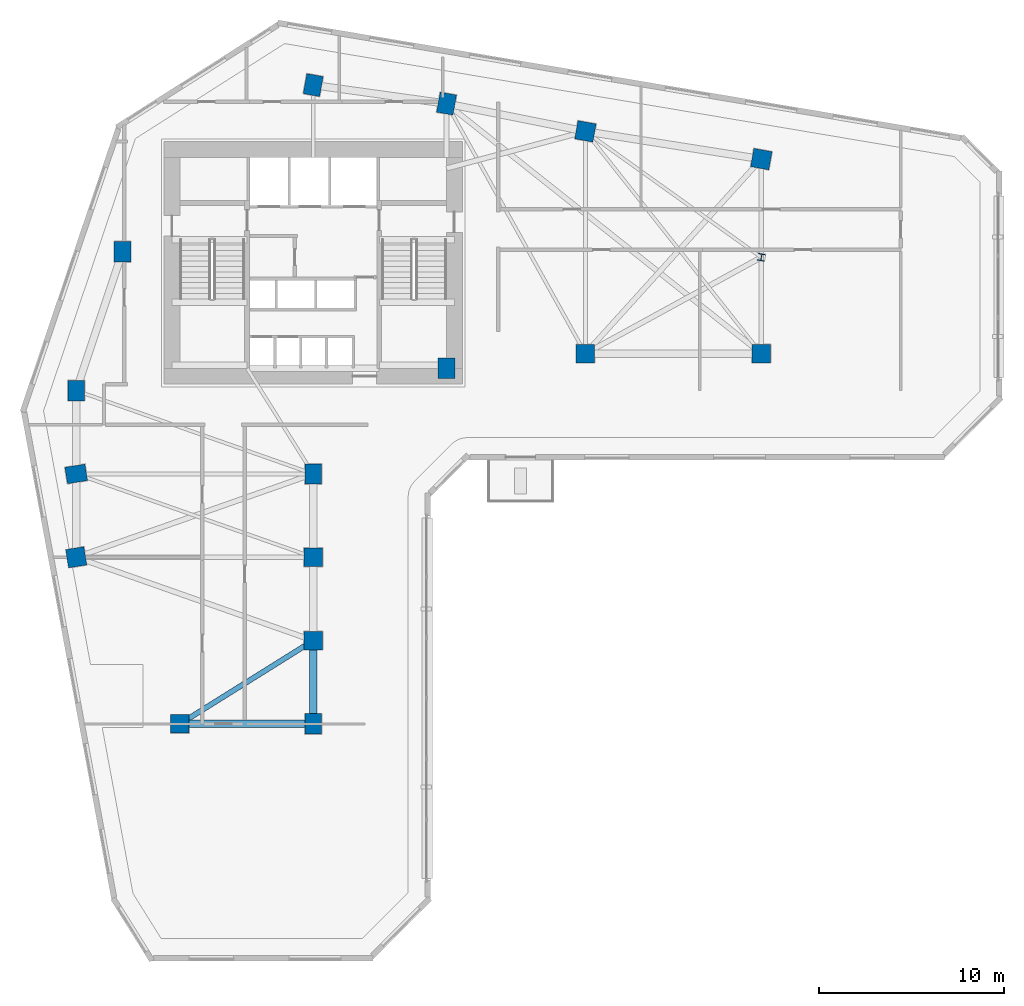
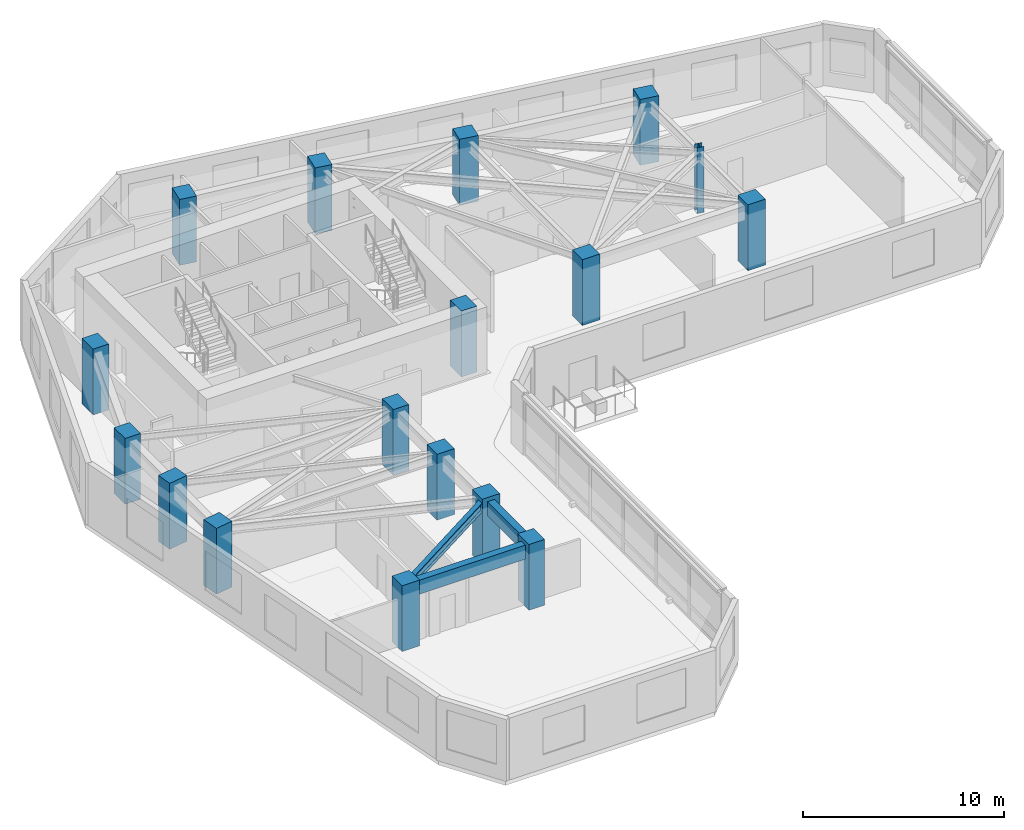
# One storey, part 1 of 12: 17 columns, 3 beams.
"""IFC4 building model written with IfcOpenShell, lengths in metres."""

from ifc_helpers import new_model, si_unit, direction, frame, origin, origin_2d, place, context, subcontext, project, spatial, rectangle, i_section, extrude, source, transform, mapped, material, material_profile, profile_set, type_object, element, save


model = new_model("IFC4")

# Units and contexts
model_context = context("Model", 3, precision=1e-05, world=origin(), true_north=direction((0.0, 1.0)))
body_context = subcontext(model_context, "Body", "Model", "MODEL_VIEW")
ifc_project = project(units=[si_unit("LENGTHUNIT", "METRE"), si_unit("AREAUNIT", "SQUARE_METRE"), si_unit("VOLUMEUNIT", "CUBIC_METRE"), si_unit("PLANEANGLEUNIT", "RADIAN"), si_unit("MASSUNIT", "GRAM", prefix="KILO")], contexts=[model_context])

# Site, building, storey
site_placement = place(None, origin())
site = spatial("IfcSite", under=ifc_project, at=site_placement, CompositionType="ELEMENT")
building_placement = place(site_placement, origin())
building = spatial("IfcBuilding", under=site, at=building_placement, Name="Calvemar Wedge Station Tower", CompositionType="ELEMENT")
storey_placement = place(building_placement, frame((0.0, 0.0, 39.0)))
storey = spatial("IfcBuildingStorey", under=building, at=storey_placement, Name="L09", CompositionType="ELEMENT", Elevation=39.0)

# Columns
ifc_material_1 = material(Name="Concrete C70", Category="concrete")
ifc_material_profile_1 = material_profile(ifc_material_1, rectangle(XDim=0.89990234375, YDim=1.10009765625, at=origin_2d()), Name="RC1100x900")
ifc_profile_set_1 = profile_set([ifc_material_profile_1], Name="Concrete C70")
column_type_1 = type_object("IfcColumnType", Name="COL-C3-1100x900", PredefinedType="COLUMN", material=ifc_profile_set_1)
shared_shape_1 = source(origin(), body_context, "Body", "SweptSolid", [
    extrude(rectangle(XDim=0.89990234375, YDim=1.10009765625, at=origin_2d()), origin(), (0.0, 0.0, 1.0), 4.0),
])
for number, where, z_axis, x_axis, name in (
    (1, (11.0, 33.0, 0.0), (0.0, 0.0, 1.0), (1.0, 0.0, 0.0), "Storey L09 Column T-NW1"),
    (2, (13.5, 40.5, 0.0), (0.0, 0.0, 1.0), (1.0, 0.0, 0.0), "Storey L09 Column T-NW2"),
    (3, (23.800048828125, 49.5, 0.0), (0.0, 0.0, 1.0), (0.984195607969, -0.17708474032, 0.0), "Storey L09 Column T-N1"),
    (4, (31.0, 48.5, 0.0), (0.0, 0.0, 1.0), (0.984195607969, -0.17708474032, 0.0), "Storey L09 Column T-N2"),
    (5, (31.0, 34.199951171875, 0.0), (0.0, 0.0, 1.0), (1.0, 0.0, 0.0), "Storey L09 Column T-NL1"),
    (6, (11.0, 28.5, 0.0), (0.0, 0.0, 1.0), (0.158158067254, -0.987413806751, 0.0), "Storey L09 Column T-SW1"),
    (7, (23.800048828125, 28.5, 0.0), (0.0, 0.0, 1.0), (1.0, 0.0, 0.0), "Storey L09 Column T-SE1"),
    (8, (23.800048828125, 15.0, 0.0), (0.0, 0.0, 1.0), (1.0, 0.0, 0.0), "Storey L09 Column T-SE4"),
):
    element("IfcColumn", number, at=place(storey_placement, frame(where, z_axis=z_axis, x_axis=x_axis)), inside=storey, type_object=column_type_1, Name=name, PredefinedType="COLUMN", context=body_context, shape_type="MappedRepresentation", body=[
        mapped(shared_shape_1, transform((0.0, 0.0, 0.0), scale=1.0)),
    ])
ifc_material_2 = material(Name="Concrete C60", Category="concrete")
ifc_material_profile_2 = material_profile(ifc_material_2, rectangle(XDim=1.0, YDim=1.0, at=origin_2d()), Name="RC1000x1000")
ifc_profile_set_2 = profile_set([ifc_material_profile_2], Name="Concrete C60")
column_type_2 = type_object("IfcColumnType", Name="COL-C4-1000", PredefinedType="COLUMN", material=ifc_profile_set_2)
shared_shape_2 = source(origin(), body_context, "Body", "SweptSolid", [
    extrude(rectangle(XDim=1.0, YDim=1.0, at=origin_2d()), origin(), (0.0, 0.0, 1.0), 4.0),
])
for number, where, z_axis, x_axis, name in (
    (9, (38.5, 47.0, 0.0), (0.0, 0.0, 1.0), (0.984195607969, -0.17708474032, 0.0), "Storey L09 Column T-NU3"),
    (10, (48.0, 45.5, 0.0), (0.0, 0.0, 1.0), (0.984195607969, -0.17708474032, 0.0), "Storey L09 Column T-NU4"),
    (11, (38.5, 35.0, 0.0), (0.0, 0.0, 1.0), (1.0, 0.0, 0.0), "Storey L09 Column T-NL2"),
    (12, (48.0, 35.0, 0.0), (0.0, 0.0, 1.0), (1.0, 0.0, 0.0), "Storey L09 Column T-NL3"),
    (13, (11.0, 24.0, 0.0), (0.0, 0.0, 1.0), (0.158158067254, -0.987413806751, 0.0), "Storey L09 Column T-SW2"),
    (14, (23.800048828125, 24.0, 0.0), (0.0, 0.0, 1.0), (1.0, 0.0, 0.0), "Storey L09 Column T-SE2"),
    (15, (23.800048828125, 19.5, 0.0), (0.0, 0.0, 1.0), (1.0, 0.0, 0.0), "Storey L09 Column T-SE3"),
    (16, (16.60009765625, 15.0, 0.0), (0.0, 0.0, 1.0), (1.0, 0.0, 0.0), "Storey L09 Column T-SM1"),
):
    element("IfcColumn", number, at=place(storey_placement, frame(where, z_axis=z_axis, x_axis=x_axis)), inside=storey, type_object=column_type_2, Name=name, PredefinedType="COLUMN", context=body_context, shape_type="MappedRepresentation", body=[
        mapped(shared_shape_2, transform((0.0, 0.0, 0.0), scale=1.0)),
    ])
ifc_material_3 = material(Name="Structural steel ASTM A572 Grade 50", Category="steel")
ifc_material_profile_3 = material_profile(ifc_material_3, i_section(OverallWidth=0.3740234375, OverallDepth=0.3720703125, WebThickness=0.016357421875, FlangeThickness=0.026123046875, FilletRadius=0.014892578125, at=origin_2d()), Name="W360x196")
ifc_profile_set_3 = profile_set([ifc_material_profile_3], Name="Structural steel ASTM A572 Grade 50")
column_type_3 = type_object("IfcColumnType", Name="COL-STL-W360", PredefinedType="COLUMN", material=ifc_profile_set_3)
shared_shape_3 = source(origin(), body_context, "Body", "SweptSolid", [
    extrude(i_section(OverallWidth=0.3740234375, OverallDepth=0.3720703125, WebThickness=0.016357421875, FlangeThickness=0.026123046875, FilletRadius=0.014892578125, at=origin_2d()), origin(), (0.0, 0.0, 1.0), 4.0),
])
column_placement = place(storey_placement, frame((48.0, 40.199951171875, 0.0), z_axis=(0.0, 0.0, 1.0), x_axis=(0.984195607969, -0.17708474032, 0.0)))
element("IfcColumn", 17, at=column_placement, inside=storey, type_object=column_type_3, Name="Storey L09 Column T-NTIP-A", PredefinedType="COLUMN", context=body_context, shape_type="MappedRepresentation", body=[
    mapped(shared_shape_3, transform((0.0, 0.0, 0.0), scale=1.0)),
])

# Beams
ifc_material_profile_4 = material_profile(ifc_material_2, rectangle(XDim=0.39990234375, YDim=0.85009765625, at=origin_2d()), Name="RC400x850")
ifc_profile_set_4 = profile_set([ifc_material_profile_4], Name="Concrete C60")
beam_type_1 = type_object("IfcBeamType", Name="BM-SP1-850", PredefinedType="SPANDREL", material=ifc_profile_set_4)
shared_shape_4 = source(origin(), body_context, "Body", "SweptSolid", [
    extrude(rectangle(XDim=0.39990234375, YDim=0.85009765625, at=origin_2d()), origin(), (0.0, 0.0, 1.0), 4.5),
])
beam_1_placement = place(storey_placement, frame((23.800048828125, 19.5, 3.324951171875), z_axis=(0.0, -1.0, 0.0), x_axis=(1.0, 0.0, 0.0)))
element("IfcBeam", 18, at=beam_1_placement, inside=storey, type_object=beam_type_1, Name="Storey L09 Spandrel T-SE3-T-SE4", PredefinedType="SPANDREL", context=body_context, shape_type="MappedRepresentation", body=[
    mapped(shared_shape_4, transform((0.0, 0.0, 0.0), scale=1.0)),
])
shared_shape_5 = source(origin(), body_context, "Body", "SweptSolid", [
    extrude(rectangle(XDim=0.39990234375, YDim=0.85009765625, at=origin_2d()), origin(), (0.0, 0.0, 1.0), 7.199951171875),
])
beam_2_placement = place(storey_placement, frame((16.60009765625, 15.0, 3.324951171875), z_axis=(1.0, 0.0, 0.0), x_axis=(0.0, 1.0, 0.0)))
element("IfcBeam", 19, at=beam_2_placement, inside=storey, type_object=beam_type_1, Name="Storey L09 Spandrel T-SM1-T-SE4", PredefinedType="SPANDREL", context=body_context, shape_type="MappedRepresentation", body=[
    mapped(shared_shape_5, transform((0.0, 0.0, 0.0), scale=1.0)),
])
ifc_material_profile_5 = material_profile(ifc_material_3, i_section(OverallWidth=0.279052734375, OverallDepth=0.553955078125, WebThickness=0.017578125, FlangeThickness=0.029541015625, FilletRadius=0.014892578125, at=origin_2d()), Name="W530x196")
ifc_profile_set_5 = profile_set([ifc_material_profile_5], Name="Structural steel ASTM A572 Grade 50")
beam_type_2 = type_object("IfcBeamType", Name="BM-SB3-W530H", PredefinedType="BEAM", material=ifc_profile_set_5)
shared_shape_6 = source(origin(), body_context, "Body", "SweptSolid", [
    extrude(i_section(OverallWidth=0.279052734375, OverallDepth=0.553955078125, WebThickness=0.017578125, FlangeThickness=0.029541015625, FilletRadius=0.014892578125, at=origin_2d()), origin(), (0.0, 0.0, 1.0), 8.490478515625),
])
beam_3_placement = place(storey_placement, frame((23.800048828125, 19.5, 3.472900390625), z_axis=(-0.847996688584, -0.530001524668, 0.0), x_axis=(0.530001524668, -0.847996688584, 0.0)))
element("IfcBeam", 20, at=beam_3_placement, inside=storey, type_object=beam_type_2, Name="Storey L09 Floor Beam T-SE3-T-SM1", PredefinedType="BEAM", context=body_context, shape_type="MappedRepresentation", body=[
    mapped(shared_shape_6, transform((0.0, 0.0, 0.0), scale=1.0)),
])

save(model, "model.ifc")
